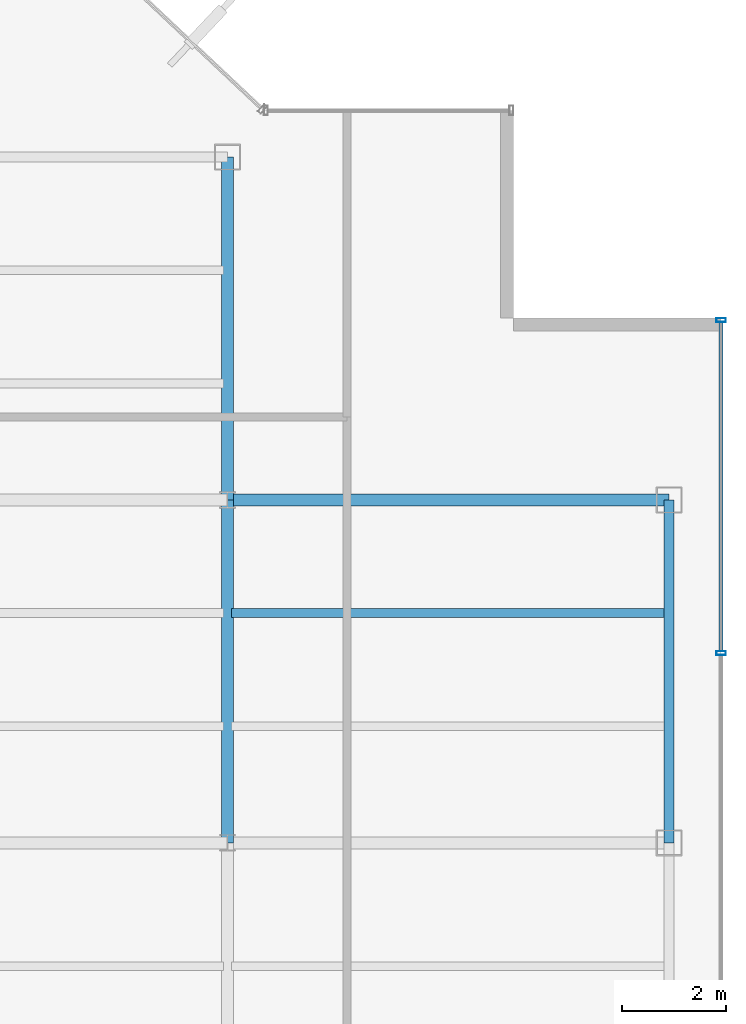
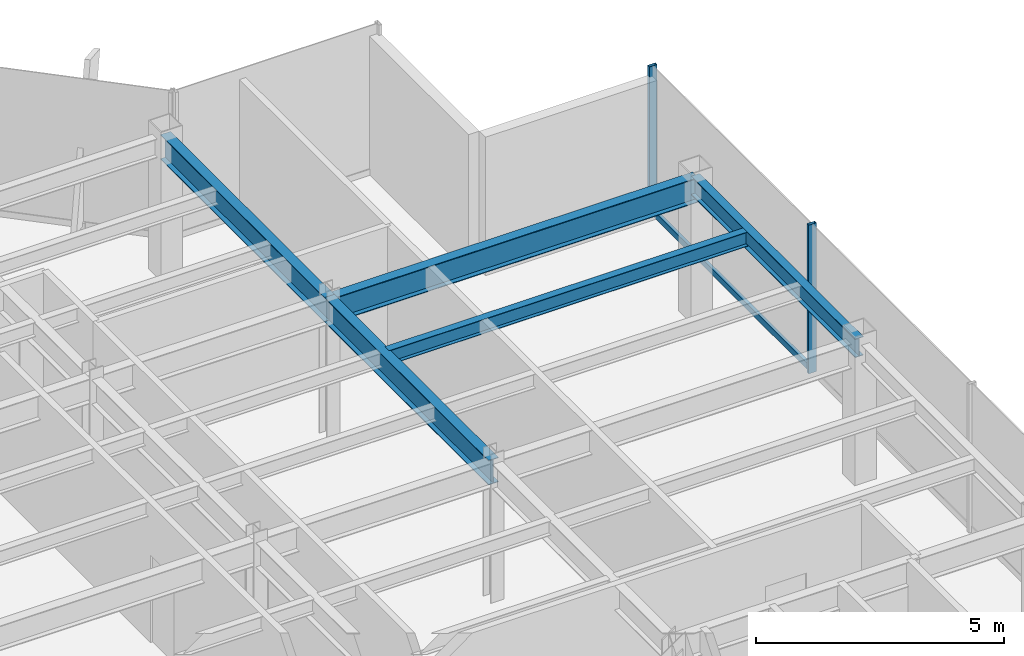
# One storey, part 11 of 22: 5 beams, 3 members, 1 element without a shape of its own.
"""IFC4 building model written with IfcOpenShell, lengths in metres."""

from ifc_helpers import new_model, si_unit, derived_unit, direction, frame, origin, origin_2d, place, context, subcontext, project, spatial, hollow_rectangle, i_section, extrude, source, transform, mapped, material, material_profile, profile_set, type_object, element, aggregate, save


model = new_model("IFC4")

# Units and contexts
model_context = context("Model", 3, precision=1e-05, world=origin(), true_north=direction((0.0, 1.0)))
body_context = subcontext(model_context, "Body", "Model", "MODEL_VIEW")
ifc_project = project(units=[si_unit("LENGTHUNIT", "METRE"), si_unit("AREAUNIT", "SQUARE_METRE"), si_unit("VOLUMEUNIT", "CUBIC_METRE"), si_unit("PLANEANGLEUNIT", "RADIAN"), si_unit("MASSUNIT", "GRAM", prefix="KILO"), derived_unit("THERMALTRANSMITTANCEUNIT", [(si_unit("POWERUNIT", "WATT"), 1), (si_unit("LENGTHUNIT", "METRE"), -2), (si_unit("THERMODYNAMICTEMPERATUREUNIT", "KELVIN"), -1)])], contexts=[model_context])

# Site, building, storey
site_placement = place(None, origin())
site = spatial("IfcSite", under=ifc_project, at=site_placement, CompositionType="ELEMENT")
building_placement = place(site_placement, origin())
building = spatial("IfcBuilding", under=site, at=building_placement, Name="Skarnbrae Concourse Arena and Tower", CompositionType="ELEMENT")
storey_placement = place(building_placement, frame((0.0, 0.0, 225.10009765625)))
storey = spatial("IfcBuildingStorey", under=building, at=storey_placement, Name="L58", CompositionType="ELEMENT", Elevation=225.10009765625)

# Beams
ifc_material_1 = material(Name="Steel CSA G40.21 350W", Category="steel")
ifc_material_profile_1 = material_profile(ifc_material_1, i_section(OverallWidth=0.22802734375, OverallDepth=0.60791015625, WebThickness=0.01123046875, FlangeThickness=0.017333984375, at=origin_2d()), Name="W610X113")
ifc_profile_set_1 = profile_set([ifc_material_profile_1], Name="Steel CSA G40.21 350W")
beam_type_1 = type_object("IfcBeamType", Name="BM-GIRD-W610X113", PredefinedType="BEAM", material=ifc_profile_set_1)
shared_shape_1 = source(origin(), body_context, "Body", "SweptSolid", [
    extrude(i_section(OverallWidth=0.22802734375, OverallDepth=0.60791015625, WebThickness=0.01123046875, FlangeThickness=0.017333984375, at=origin_2d()), origin(), (0.0, 0.0, 1.0), 6.60009765625),
])
beam_1_placement = place(storey_placement, frame((33.5, 21.199951171875, 3.095947265625), z_axis=(0.0, 1.0, 0.0), x_axis=(-1.0, 0.0, 0.0)))
element("IfcBeam", 1, at=beam_1_placement, inside=storey, type_object=beam_type_1, Name="L58 Primary N-S girder X33.5-2", PredefinedType="BEAM", context=body_context, shape_type="MappedRepresentation", body=[
    mapped(shared_shape_1, transform((0.0, 0.0, 0.0))),
])
shared_shape_2 = source(origin(), body_context, "Body", "SweptSolid", [
    extrude(i_section(OverallWidth=0.22802734375, OverallDepth=0.60791015625, WebThickness=0.01123046875, FlangeThickness=0.017333984375, at=origin_2d()), origin(), (0.0, 0.0, 1.0), 8.5),
])
beam_2_placement = place(storey_placement, frame((33.5, 27.800048828125, 3.095947265625), z_axis=(1.0, 0.0, 0.0), x_axis=(0.0, 1.0, 0.0)))
element("IfcBeam", 2, at=beam_2_placement, inside=storey, type_object=beam_type_1, Name="L58 Primary E-W girder Y27.8-6", PredefinedType="BEAM", context=body_context, shape_type="MappedRepresentation", body=[
    mapped(shared_shape_2, transform((0.0, 0.0, 0.0))),
])
ifc_material_profile_2 = material_profile(ifc_material_1, i_section(OverallWidth=0.19091796875, OverallDepth=0.4599609375, WebThickness=0.010009765625, FlangeThickness=0.01611328125, at=origin_2d()), Name="W460X82")
ifc_profile_set_2 = profile_set([ifc_material_profile_2], Name="Steel CSA G40.21 350W")
beam_type_2 = type_object("IfcBeamType", Name="BM-SPAN-W460X82", PredefinedType="SPANDREL", material=ifc_profile_set_2)
shared_shape_3 = source(origin(), body_context, "Body", "SweptSolid", [
    extrude(i_section(OverallWidth=0.19091796875, OverallDepth=0.4599609375, WebThickness=0.010009765625, FlangeThickness=0.01611328125, at=origin_2d()), origin(), (0.0, 0.0, 1.0), 6.60009765625),
])
beam_3_placement = place(storey_placement, frame((42.0, 21.199951171875, 3.169921875), z_axis=(0.0, 1.0, 0.0), x_axis=(-1.0, 0.0, 0.0)))
element("IfcBeam", 3, at=beam_3_placement, inside=storey, type_object=beam_type_2, Name="L58 Perimeter spandrel X42.0-3", PredefinedType="SPANDREL", context=body_context, shape_type="MappedRepresentation", body=[
    mapped(shared_shape_3, transform((0.0, 0.0, 0.0))),
])
shared_shape_4 = source(origin(), body_context, "Body", "SweptSolid", [
    extrude(i_section(OverallWidth=0.22802734375, OverallDepth=0.60791015625, WebThickness=0.01123046875, FlangeThickness=0.017333984375, at=origin_2d()), origin(), (0.0, 0.0, 1.0), 6.599853515625),
])
beam_4_placement = place(storey_placement, frame((33.5, 27.800048828125, 3.095947265625), z_axis=(0.0, 1.0, 0.0), x_axis=(-1.0, 0.0, 0.0)))
element("IfcBeam", 4, at=beam_4_placement, inside=storey, type_object=beam_type_1, Name="L58 Primary N-S girder X33.5-3", PredefinedType="BEAM", context=body_context, shape_type="MappedRepresentation", body=[
    mapped(shared_shape_4, transform((0.0, 0.0, 0.0))),
])
ifc_material_profile_3 = material_profile(ifc_material_1, i_section(OverallWidth=0.1708984375, OverallDepth=0.35498046875, WebThickness=0.007080078125, FlangeThickness=0.01171875, at=origin_2d()), Name="W360X51")
ifc_profile_set_3 = profile_set([ifc_material_profile_3], Name="Steel CSA G40.21 350W")
beam_type_3 = type_object("IfcBeamType", Name="BM-JOIST-W360X51", PredefinedType="JOIST", material=ifc_profile_set_3)
shared_shape_5 = source(origin(), body_context, "Body", "SweptSolid", [
    extrude(i_section(OverallWidth=0.1708984375, OverallDepth=0.35498046875, WebThickness=0.007080078125, FlangeThickness=0.01171875, at=origin_2d()), origin(), (0.0, 0.0, 1.0), 8.33984375),
])
beam_5_placement = place(storey_placement, frame((33.580078125, 25.6220703125, 3.222412109375), z_axis=(1.0, 0.0, 0.0), x_axis=(0.0, 1.0, 0.0)))
element("IfcBeam", 5, at=beam_5_placement, inside=storey, type_object=beam_type_3, Name="L58 Secondary floor joist 2.2.6", PredefinedType="JOIST", context=body_context, shape_type="MappedRepresentation", body=[
    mapped(shared_shape_5, transform((0.0, 0.0, 0.0))),
])

# Curtain wall, members
ifc_material_2 = material(Name="Bronze anodised aluminium 6063-T6", Category="aluminium")
curtain_wall_type = type_object("IfcCurtainWallType", Name="CW-SYS-05-HIGHZONE", PredefinedType="USERDEFINED", material=ifc_material_2)
curtain_wall_placement = place(storey_placement, origin())
curtain_wall = element("IfcCurtainWall", 6, at=curtain_wall_placement, inside=storey, type_object=curtain_wall_type, Name="L58 Unitised curtain wall CW-L58-E04", ObjectType="UNITISED CURTAIN WALL", PredefinedType="USERDEFINED")
ifc_material_profile_4 = material_profile(ifc_material_2, hollow_rectangle(XDim=0.074951171875, YDim=0.179931640625, WallThickness=0.00390625, at=origin_2d()), Name="ALU-MULL-75X180")
ifc_profile_set_4 = profile_set([ifc_material_profile_4], Name="Bronze anodised aluminium 6063-T6")
member_type_1 = type_object("IfcMemberType", Name="CWM-CW-05", PredefinedType="MULLION", material=ifc_profile_set_4)
shared_shape_6 = source(origin(), body_context, "Body", "SweptSolid", [
    extrude(hollow_rectangle(XDim=0.074951171875, YDim=0.179931640625, WallThickness=0.00390625, at=origin_2d()), origin(), (0.0, 0.0, 1.0), 3.64990234375),
])
member_1_placement = place(storey_placement, frame((43.0, 24.85009765625, 0.0), z_axis=(0.0, 0.0, 1.0), x_axis=(0.0, 1.0, 0.0)))
member_1 = element("IfcMember", 7, at=member_1_placement, type_object=member_type_1, Name="CW-L58-E04 Mullion 4", PredefinedType="MULLION", context=body_context, shape_type="MappedRepresentation", body=[
    mapped(shared_shape_6, transform((0.0, 0.0, 0.0))),
])
member_2_placement = place(storey_placement, frame((43.0, 31.262451171875, 0.0), z_axis=(0.0, 0.0, 1.0), x_axis=(0.0, 1.0, 0.0)))
member_2 = element("IfcMember", 8, at=member_2_placement, type_object=member_type_1, Name="CW-L58-E04 Mullion 5", PredefinedType="MULLION", context=body_context, shape_type="MappedRepresentation", body=[
    mapped(shared_shape_6, transform((0.0, 0.0, 0.0))),
])
ifc_material_profile_5 = material_profile(ifc_material_2, hollow_rectangle(XDim=0.074951171875, YDim=0.14990234375, WallThickness=0.00390625, at=origin_2d()), Name="ALU-TRAN-75X150")
ifc_profile_set_5 = profile_set([ifc_material_profile_5], Name="Bronze anodised aluminium 6063-T6")
member_type_2 = type_object("IfcMemberType", Name="CWT-CW-05", PredefinedType="USERDEFINED", material=ifc_profile_set_5)
shared_shape_7 = source(origin(), body_context, "Body", "SweptSolid", [
    extrude(hollow_rectangle(XDim=0.074951171875, YDim=0.14990234375, WallThickness=0.00390625, at=origin_2d()), origin(), (0.0, 0.0, 1.0), 6.337646484375),
])
member_3_placement = place(storey_placement, frame((43.0, 24.887451171875, 0.074951171875), z_axis=(0.0, 1.0, 0.0), x_axis=(-1.0, 0.0, 0.0)))
member_3 = element("IfcMember", 9, at=member_3_placement, type_object=member_type_2, Name="CW-L58-E04 Transom 4", ObjectType="TRANSOM", PredefinedType="USERDEFINED", context=body_context, shape_type="MappedRepresentation", body=[
    mapped(shared_shape_7, transform((0.0, 0.0, 0.0))),
])
aggregate(curtain_wall, [member_1, member_2, member_3])

save(model, "model.ifc")
